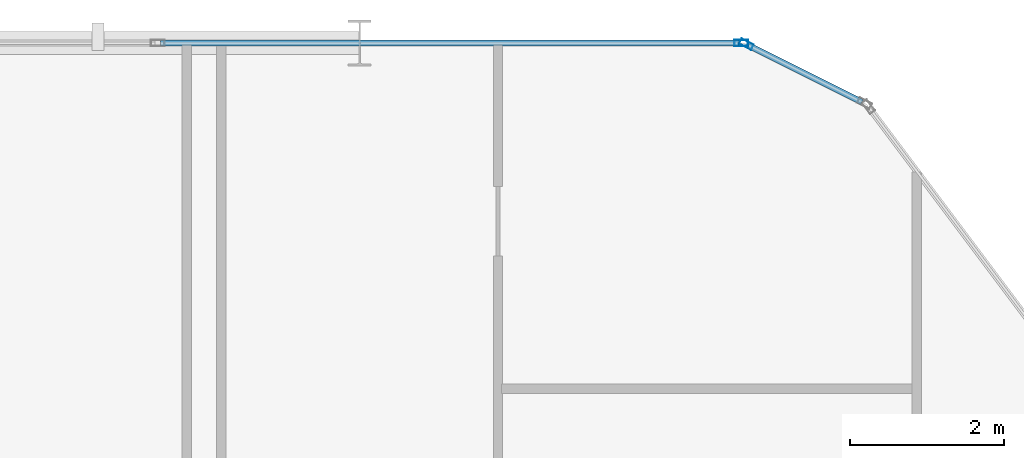
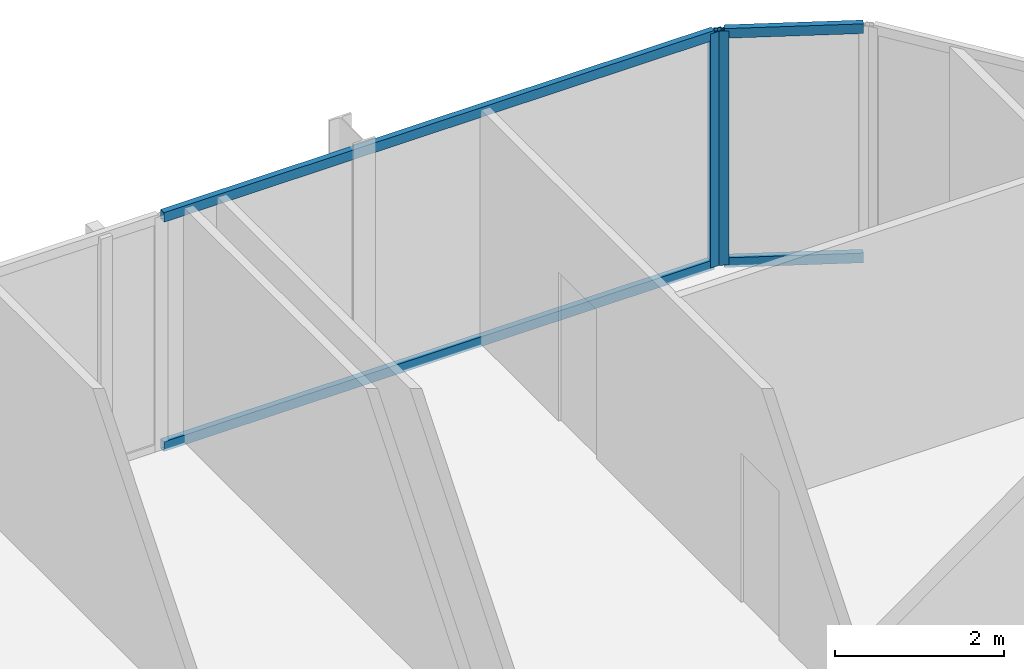
# One storey, part 20 of 30: 6 members, 2 elements without a shape of their own.
"""IFC4 building model written with IfcOpenShell, lengths in metres."""

from ifc_helpers import new_model, si_unit, direction, frame, origin, origin_2d, place, context, subcontext, project, spatial, hollow_rectangle, extrude, material, layer, layer_set, material_profile, profile_set, type_object, element, aggregate, save


model = new_model("IFC4")

# Units and contexts
model_context = context("Model", 3, precision=1e-05, world=origin(), true_north=direction((0.0, 1.0)))
body_context = subcontext(model_context, "Body", "Model", "MODEL_VIEW")
ifc_project = project(units=[si_unit("LENGTHUNIT", "METRE"), si_unit("AREAUNIT", "SQUARE_METRE"), si_unit("VOLUMEUNIT", "CUBIC_METRE"), si_unit("PLANEANGLEUNIT", "RADIAN"), si_unit("MASSUNIT", "GRAM", prefix="KILO")], contexts=[model_context])

# Site, building, storey
site_placement = place(None, origin())
site = spatial("IfcSite", under=ifc_project, at=site_placement, CompositionType="ELEMENT")
building_placement = place(site_placement, origin())
building = spatial("IfcBuilding", under=site, at=building_placement, Name="Keshet Zoharim Tower", CompositionType="ELEMENT")
storey_placement = place(building_placement, frame((0.0, 0.0, 116.800048828125)))
storey = spatial("IfcBuildingStorey", under=building, at=storey_placement, Name="L28", CompositionType="ELEMENT", Elevation=116.800048828125)

# Curtain wall, member
ifc_material = material(Name="Aluminium 6063-T6", Category="aluminium")
ifc_layer = layer(ifc_material, 0.159912109375)
ifc_layer_set = layer_set([ifc_layer], Name="Aluminium 6063-T6")
curtain_wall_type = type_object("IfcCurtainWallType", Name="CW-SYS-03", PredefinedType="NOTDEFINED", material=ifc_layer_set)
curtain_wall_1_placement = place(storey_placement, origin())
curtain_wall_1 = element("IfcCurtainWall", 1, at=curtain_wall_1_placement, inside=storey, type_object=curtain_wall_type, Name="L28 Unitised Curtain Wall 13 Part 5", PredefinedType="NOTDEFINED")
ifc_material_profile_1 = material_profile(ifc_material, hollow_rectangle(XDim=0.080078125, YDim=0.179931640625, WallThickness=0.00439453125, at=origin_2d()), Name="MUL-80x180")
ifc_profile_set_1 = profile_set([ifc_material_profile_1], Name="Aluminium 6063-T6")
member_type_1 = type_object("IfcMemberType", Name="CWM-M18", PredefinedType="MULLION", material=ifc_profile_set_1)
member_1_placement = place(storey_placement, frame((49.965087890625, 53.89990234375, 0.0), z_axis=(0.0, 0.0, 1.0), x_axis=(0.0, 1.0, 0.0)))
member_1 = element("IfcMember", 2, at=member_1_placement, type_object=member_type_1, Name="CW-03 mullion 3", PredefinedType="MULLION", context=body_context, shape_type="SweptSolid", body=[
    extrude(hollow_rectangle(XDim=0.080078125, YDim=0.179931640625, WallThickness=0.00439453125, at=origin_2d()), origin(), (0.0, 0.0, 1.0), 3.3798828125),
])

curtain_wall_2_placement = place(storey_placement, origin())
curtain_wall_2 = element("IfcCurtainWall", 3, at=curtain_wall_2_placement, inside=storey, type_object=curtain_wall_type, Name="L28 Unitised Curtain Wall 14", PredefinedType="NOTDEFINED")
member_2_placement = place(storey_placement, frame((50.03125, 53.88427734375, 0.0), z_axis=(0.0, 0.0, 1.0), x_axis=(0.447213595499, 0.894427191001, 0.0)))
member_2 = element("IfcMember", 4, at=member_2_placement, type_object=member_type_1, Name="CW-03 mullion 1", PredefinedType="MULLION", context=body_context, shape_type="SweptSolid", body=[
    extrude(hollow_rectangle(XDim=0.080078125, YDim=0.179931640625, WallThickness=0.00439453125, at=origin_2d()), origin(), (0.0, 0.0, 1.0), 3.3798828125),
])

# Member
ifc_material_profile_2 = material_profile(ifc_material, hollow_rectangle(XDim=0.080078125, YDim=0.139892578125, WallThickness=0.00390625, at=origin_2d()), Name="TRN-80x140")
ifc_profile_set_2 = profile_set([ifc_material_profile_2], Name="Aluminium 6063-T6")
member_type_2 = type_object("IfcMemberType", Name="CWT-T14", PredefinedType="USERDEFINED", material=ifc_profile_set_2)
member_3_placement = place(storey_placement, frame((42.408935546875, 53.89990234375, 0.034912109375), z_axis=(1.0, 0.0, 0.0), x_axis=(0.0, 1.0, 0.0)))
member_3 = element("IfcMember", 5, at=member_3_placement, type_object=member_type_2, Name="CW-03 transom 2.1", ObjectType="TRANSOM", PredefinedType="USERDEFINED", context=body_context, shape_type="SweptSolid", body=[
    extrude(hollow_rectangle(XDim=0.080078125, YDim=0.139892578125, WallThickness=0.00390625, at=origin_2d()), origin(), (0.0, 0.0, 1.0), 7.52099609375),
])

member_4_placement = place(storey_placement, frame((42.408935546875, 53.89990234375, 3.344970703125), z_axis=(1.0, 0.0, 0.0), x_axis=(0.0, 1.0, 0.0)))
member_4 = element("IfcMember", 6, at=member_4_placement, type_object=member_type_2, Name="CW-03 transom 2.2", ObjectType="TRANSOM", PredefinedType="USERDEFINED", context=body_context, shape_type="SweptSolid", body=[
    extrude(hollow_rectangle(XDim=0.080078125, YDim=0.139892578125, WallThickness=0.00390625, at=origin_2d()), origin(), (0.0, 0.0, 1.0), 7.52099609375),
])

aggregate(curtain_wall_1, [member_1, member_3, member_4])

member_5_placement = place(storey_placement, frame((50.0625, 53.86865234375, 0.034912109375), z_axis=(0.894456801911, -0.447154368775, 0.0), x_axis=(0.447154368775, 0.894456801911, 0.0)))
member_5 = element("IfcMember", 7, at=member_5_placement, type_object=member_type_2, Name="CW-03 transom 1.1", ObjectType="TRANSOM", PredefinedType="USERDEFINED", context=body_context, shape_type="SweptSolid", body=[
    extrude(hollow_rectangle(XDim=0.080078125, YDim=0.139892578125, WallThickness=0.00390625, at=origin_2d()), origin(), (0.0, 0.0, 1.0), 1.64892578125),
])

member_6_placement = place(storey_placement, frame((50.0625, 53.86865234375, 3.344970703125), z_axis=(0.894456801911, -0.447154368775, 0.0), x_axis=(0.447154368775, 0.894456801911, 0.0)))
member_6 = element("IfcMember", 8, at=member_6_placement, type_object=member_type_2, Name="CW-03 transom 1.2", ObjectType="TRANSOM", PredefinedType="USERDEFINED", context=body_context, shape_type="SweptSolid", body=[
    extrude(hollow_rectangle(XDim=0.080078125, YDim=0.139892578125, WallThickness=0.00390625, at=origin_2d()), origin(), (0.0, 0.0, 1.0), 1.64892578125),
])

aggregate(curtain_wall_2, [member_2, member_5, member_6])

save(model, "model.ifc")
